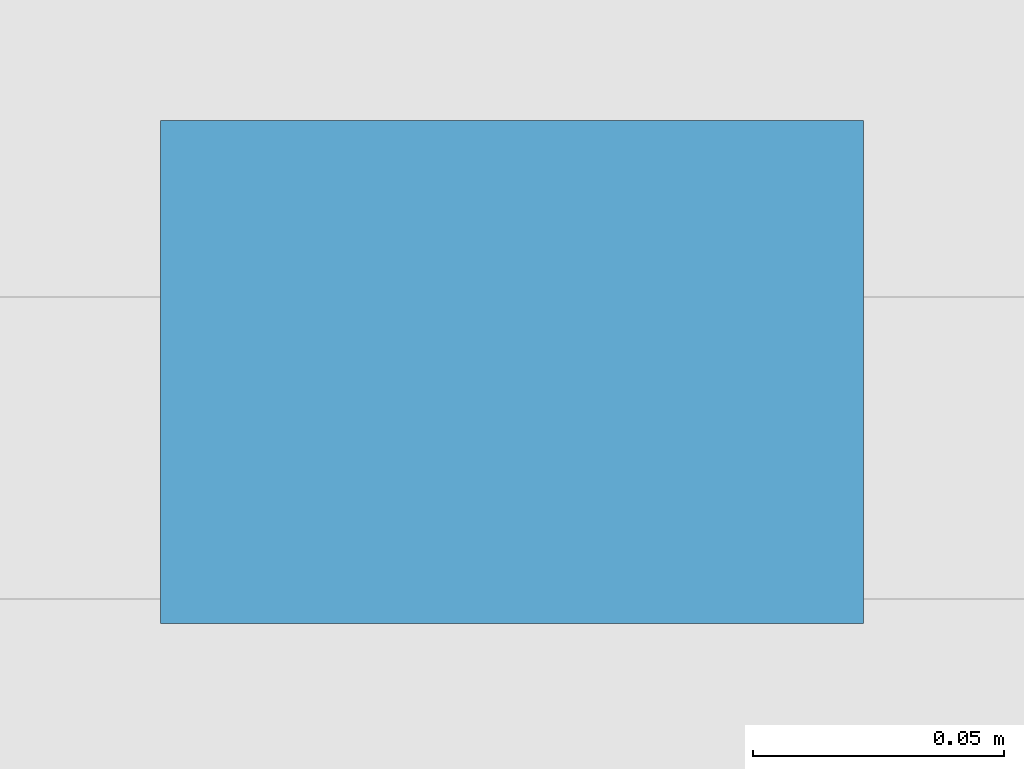
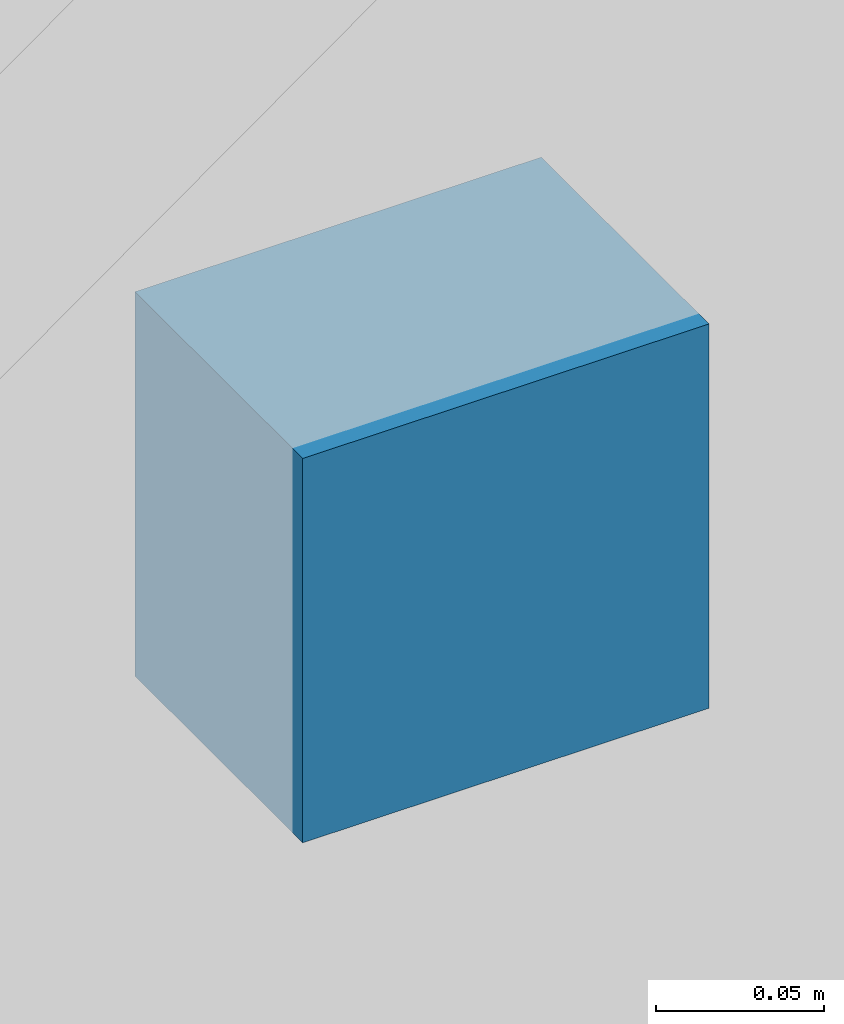
# One storey, part 102 of 123: 1 discrete accessory.
"""IFC4 building model written with IfcOpenShell, lengths in metres."""

from ifc_helpers import new_model, si_unit, direction, frame, origin, origin_2d, place, context, subcontext, project, spatial, rectangle, extrude, material, type_object, element, save


model = new_model("IFC4")

# Units and contexts
model_context = context("Model", 3, precision=1e-05, world=origin(), true_north=direction((0.0, 1.0)))
body_context = subcontext(model_context, "Body", "Model", "MODEL_VIEW")
ifc_project = project(units=[si_unit("LENGTHUNIT", "METRE"), si_unit("AREAUNIT", "SQUARE_METRE"), si_unit("VOLUMEUNIT", "CUBIC_METRE"), si_unit("PLANEANGLEUNIT", "RADIAN"), si_unit("MASSUNIT", "GRAM", prefix="KILO")], contexts=[model_context])

# Site, building, storey
site_placement = place(None, origin())
site = spatial("IfcSite", under=ifc_project, at=site_placement, CompositionType="ELEMENT")
building_placement = place(site_placement, origin())
building = spatial("IfcBuilding", under=site, at=building_placement, Name="Kalmorath City Hall", CompositionType="ELEMENT")
storey_placement = place(building_placement, frame((0.0, 0.0, 10.199951171875)))
storey = spatial("IfcBuildingStorey", under=building, at=storey_placement, Name="L02", CompositionType="ELEMENT", Elevation=10.199951171875)

# Discrete accessory
ifc_material = material(Name="Stainless steel Grade 316", Category="steel")
discrete_accessory_type = type_object("IfcDiscreteAccessoryType", Name="Stainless rainscreen support bracket", PredefinedType="BRACKET", material=ifc_material)
discrete_accessory_placement = place(storey_placement, frame((112.42236328125, 93.610107421875, 3.05126953125), z_axis=(0.0, 0.0, 1.0), x_axis=(-1.0, 0.0, 0.0)))
element("IfcDiscreteAccessory", 1, at=discrete_accessory_placement, inside=storey, type_object=discrete_accessory_type, Name="L02 basalt anchor bracket #52", PredefinedType="BRACKET", context=body_context, shape_type="SweptSolid", body=[
    extrude(rectangle(XDim=0.139892578125, YDim=0.10009765625, at=origin_2d()), origin(), (0.0, 0.0, 1.0), 0.139892578125),
])

save(model, "model.ifc")
